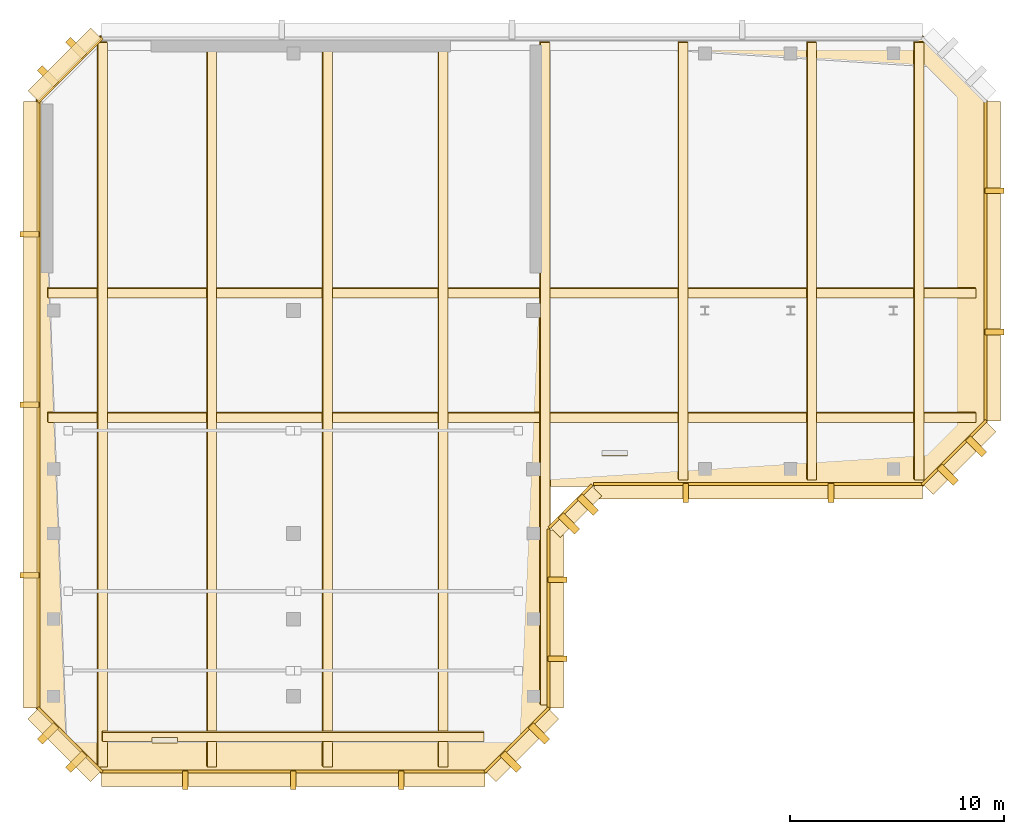
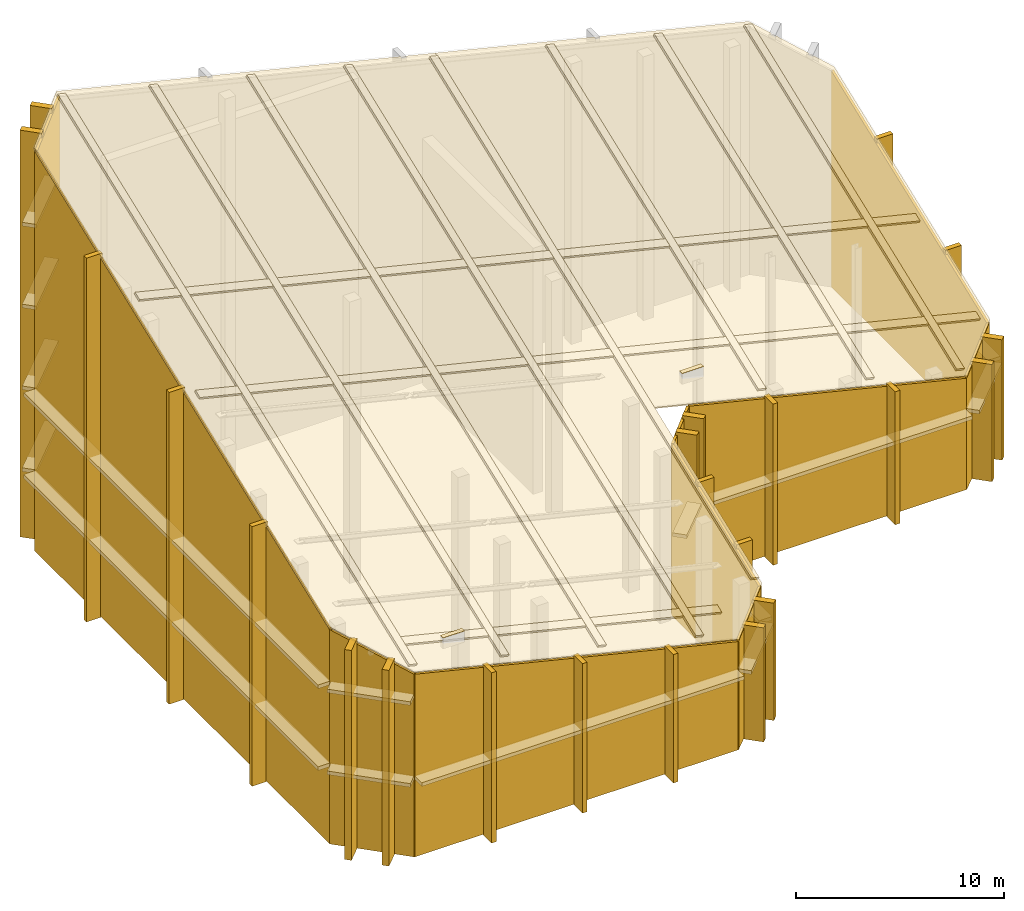
# One storey, part 2 of 3: 62 coverings.
"""IFC4 building model written with IfcOpenShell, lengths in metres."""

from ifc_helpers import new_model, si_unit, direction, frame, origin, origin_2d, place, context, subcontext, project, spatial, polyline, rectangle, outline, extrude, material, layer, layer_set, type_object, element, save


model = new_model("IFC4")

# Units and contexts
model_context = context("Model", 3, precision=1e-05, world=origin(), true_north=direction((0.0, 1.0)))
body_context = subcontext(model_context, "Body", "Model", "MODEL_VIEW")
ifc_project = project(units=[si_unit("LENGTHUNIT", "METRE"), si_unit("AREAUNIT", "SQUARE_METRE"), si_unit("VOLUMEUNIT", "CUBIC_METRE"), si_unit("PLANEANGLEUNIT", "RADIAN"), si_unit("MASSUNIT", "GRAM", prefix="KILO")], contexts=[model_context])

# Site, building, storey
site_placement = place(None, origin())
site = spatial("IfcSite", under=ifc_project, at=site_placement, CompositionType="ELEMENT")
building_placement = place(site_placement, origin())
building = spatial("IfcBuilding", under=site, at=building_placement, Name="Kefirva Bronze Tower", CompositionType="ELEMENT")
storey_placement = place(building_placement, frame((0.0, 0.0, 373.889892578125)))
storey = spatial("IfcBuildingStorey", under=building, at=storey_placement, Name="L91", CompositionType="ELEMENT", Elevation=373.889892578125)

# Coverings
ifc_material_1 = material(Name="Bronze anodised aluminium", Category="aluminium")
ifc_layer_1 = layer(ifc_material_1, 0.02001953125, Name="Bronze anodised aluminium")
ifc_layer_set_1 = layer_set([ifc_layer_1], Name="Bronze anodised aluminium")
covering_type_1 = type_object("IfcCoveringType", Name="Anodised Bronze Spandrel Cladding 20mm", PredefinedType="CLADDING", material=ifc_layer_set_1)
for number, where, z_axis, x_axis, name in (
    (1, (6.0, 13.14990234375, 11.05419921875), (0.0, 0.0, 1.0), (1.0, 0.0, 0.0), "L91 Bronze Coping Cladding 1"),
    (2, (27.0, 26.550048828125, 11.087890625), (0.0, 0.0, 1.0), (1.0, 0.0, 0.0), "L91 Bronze Coping Cladding 2"),
):
    element("IfcCovering", number, at=place(storey_placement, frame(where, z_axis=z_axis, x_axis=x_axis)), inside=storey, type_object=covering_type_1, Name=name, PredefinedType="CLADDING", context=body_context, shape_type="SweptSolid", body=[
        extrude(rectangle(XDim=1.199951171875, YDim=0.260009765625, at=origin_2d()), origin(), (0.0, 0.0, 1.0), 0.02001953125),
    ])
ifc_material_2 = material(Name="Insulated EPDM membrane")
ifc_layer_2 = layer(ifc_material_2, 0.090087890625, Name="Insulated EPDM membrane")
ifc_layer_set_2 = layer_set([ifc_layer_2], Name="Insulated EPDM membrane")
covering_type_2 = type_object("IfcCoveringType", Name="Insulated EPDM Crown Roofing 90mm", PredefinedType="ROOFING", material=ifc_layer_set_2)
covering_1_placement = place(storey_placement, frame((0.0, 14.60009765625, 12.656982421875), z_axis=(0.221548584642, -0.349493181319, 0.910368464335), x_axis=(-1.61925e-07, 0.933568243588, 0.358399685497)))
element("IfcCovering", 3, at=covering_1_placement, inside=storey, type_object=covering_type_2, Name="L91 West Crown Insulated Roofing", PredefinedType="ROOFING", context=body_context, shape_type="SweptSolid", body=[
    extrude(outline(polyline([(0.0, 0.0), (30.420818520146586, -4.440892098500626e-16), (33.37263513253039, -3.0764510833751935), (31.54099583939993, -24.61161502379219), (6.904316513889619, -24.61162439055186), (-2.0932645493248603, -24.611594290861635), (-5.045081161708667, -21.535143207486442), (-3.4751546246958256, -3.07646011328226), (0.0, 0.0)])), origin(), (0.0, 0.0, -1.0), 0.090087890625),
])
covering_2_placement = place(storey_placement, frame((41.39990234375, 46.0, 14.636474609375), z_axis=(0.221545393842, -0.349492877573, 0.910369357455), x_axis=(0.646378450417, -0.646379855225, -0.40544787778)))
element("IfcCovering", 4, at=covering_2_placement, inside=storey, type_object=covering_type_2, Name="L91 East Crown Insulated Roofing", PredefinedType="ROOFING", context=body_context, shape_type="SweptSolid", body=[
    extrude(outline(polyline([(0.0, 0.0), (4.641261304114398, -1.1102230246251565e-16), (16.67174895015604, -10.65026791285544), (16.842702501717955, -14.910379116190246), (5.368998823198398, -25.844597946030397), (3.878962229879761, -27.264648474450766), (-12.963740271838192, -12.35426935826052), (0.0, 0.0)])), origin(), (0.0, 0.0, -1.0), 0.090087890625),
])
ifc_material_3 = material(Name="Tempered laminated low-E glass", Category="glass")
ifc_layer_3 = layer(ifc_material_3, 0.139892578125, Name="Tempered laminated low-E glass")
ifc_layer_set_3 = layer_set([ifc_layer_3], Name="Tempered laminated low-E glass")
covering_type_3 = type_object("IfcCoveringType", Name="Slanted Crown Faceted Glazed Screen 140mm", PredefinedType="CLADDING", material=ifc_layer_set_3)
covering_3_placement = place(storey_placement, frame((3.0, 11.699951171875, -0.099853515625), z_axis=(0.0, 0.0, 1.0), x_axis=(1.0, 0.0, 0.0)))
element("IfcCovering", 5, at=covering_3_placement, inside=storey, type_object=covering_type_3, Name="L91 Slanted Crown Faceted Glazed Screen 1", PredefinedType="CLADDING", context=body_context, shape_type="SweptSolid", body=[
    extrude(outline(polyline([(0.0, 0.0), (18.0, 0.0), (18.0, 6.343017578125), (0.0, 10.723388671875), (0.0, 0.0)])), frame((0.0, 0.06982421875, 0.0), z_axis=(0.0, -1.0, 0.0), x_axis=(1.0, 0.0, 0.0)), (0.0, 0.0, 1.0), 0.139892578125),
])
covering_4_placement = place(storey_placement, frame((20.92919921875, 11.670654296875, -0.099853515625), z_axis=(0.0, 0.0, 1.0), x_axis=(0.707106781187, 0.707106781187, 0.0)))
element("IfcCovering", 6, at=covering_4_placement, inside=storey, type_object=covering_type_3, Name="L91 Slanted Crown Faceted Glazed Screen 2", PredefinedType="CLADDING", context=body_context, shape_type="SweptSolid", body=[
    extrude(outline(polyline([(0.0, 0.0), (4.24267578125, 0.0), (4.24267578125, 6.7705078125), (0.0, 6.348876953125), (0.0, 0.0)])), frame((0.0, 0.06982421875, 0.0), z_axis=(0.0, -1.0, 0.0), x_axis=(1.0, 0.0, 0.0)), (0.0, 0.0, 1.0), 0.139892578125),
])
covering_5_placement = place(storey_placement, frame((23.89990234375, 14.60009765625, -0.099853515625), z_axis=(0.0, 0.0, 1.0), x_axis=(0.0, 1.0, 0.0)))
element("IfcCovering", 7, at=covering_5_placement, inside=storey, type_object=covering_type_3, Name="L91 Slanted Crown Faceted Glazed Screen 3", PredefinedType="CLADDING", context=body_context, shape_type="SweptSolid", body=[
    extrude(outline(polyline([(0.0, 0.0), (8.39990234375, 0.0), (8.39990234375, 9.975341796875), (0.0, 6.75048828125), (0.0, 0.0)])), frame((0.0, 0.06982421875, 0.0), z_axis=(0.0, -1.0, 0.0), x_axis=(1.0, 0.0, 0.0)), (0.0, 0.0, 1.0), 0.139892578125),
])
covering_6_placement = place(storey_placement, frame((23.92919921875, 23.07080078125, -0.099853515625), z_axis=(0.0, 0.0, 1.0), x_axis=(0.707106781187, 0.707106781187, 0.0)))
element("IfcCovering", 8, at=covering_6_placement, inside=storey, type_object=covering_type_3, Name="L91 Slanted Crown Faceted Glazed Screen 4", PredefinedType="CLADDING", context=body_context, shape_type="SweptSolid", body=[
    extrude(outline(polyline([(0.0, 0.0), (2.828369140625, 0.0), (2.828369140625, 10.2763671875), (0.0, 9.995361328125), (0.0, 0.0)])), frame((0.0, 0.06982421875, 0.0), z_axis=(0.0, -1.0, 0.0), x_axis=(1.0, 0.0, 0.0)), (0.0, 0.0, 1.0), 0.139892578125),
])
covering_7_placement = place(storey_placement, frame((26.0, 25.10009765625, -0.099853515625), z_axis=(0.0, 0.0, 1.0), x_axis=(1.0, 0.0, 0.0)))
element("IfcCovering", 9, at=covering_7_placement, inside=storey, type_object=covering_type_3, Name="L91 Slanted Crown Faceted Glazed Screen 5", PredefinedType="CLADDING", context=body_context, shape_type="SweptSolid", body=[
    extrude(outline(polyline([(0.0, 0.0), (15.39990234375, 0.0), (15.39990234375, 6.522705078125), (0.0, 10.2705078125), (0.0, 0.0)])), frame((0.0, 0.06982421875, 0.0), z_axis=(0.0, -1.0, 0.0), x_axis=(1.0, 0.0, 0.0)), (0.0, 0.0, 1.0), 0.139892578125),
])
covering_8_placement = place(storey_placement, frame((41.329345703125, 25.07080078125, -0.099853515625), z_axis=(0.0, 0.0, 1.0), x_axis=(0.707106781187, 0.707106781187, 0.0)))
element("IfcCovering", 10, at=covering_8_placement, inside=storey, type_object=covering_type_3, Name="L91 Slanted Crown Faceted Glazed Screen 6", PredefinedType="CLADDING", context=body_context, shape_type="SweptSolid", body=[
    extrude(outline(polyline([(0.0, 0.0), (4.24267578125, 0.0), (4.24267578125, 6.950439453125), (0.0, 6.528564453125), (0.0, 0.0)])), frame((0.0, 0.06982421875, 0.0), z_axis=(0.0, -1.0, 0.0), x_axis=(1.0, 0.0, 0.0)), (0.0, 0.0, 1.0), 0.139892578125),
])
covering_9_placement = place(storey_placement, frame((44.300048828125, 28.0, -0.099853515625), z_axis=(0.0, 0.0, 1.0), x_axis=(0.0, 1.0, 0.0)))
element("IfcCovering", 11, at=covering_9_placement, inside=storey, type_object=covering_type_3, Name="L91 Slanted Crown Faceted Glazed Screen 7", PredefinedType="CLADDING", context=body_context, shape_type="SweptSolid", body=[
    extrude(outline(polyline([(0.0, 0.0), (15.0, 0.0), (15.0, 12.68896484375), (0.0, 6.93017578125), (0.0, 0.0)])), frame((0.0, 0.06982421875, 0.0), z_axis=(0.0, -1.0, 0.0), x_axis=(1.0, 0.0, 0.0)), (0.0, 0.0, 1.0), 0.139892578125),
])
covering_10_placement = place(storey_placement, frame((3.07080078125, 45.92919921875, -0.099853515625), z_axis=(0.0, 0.0, 1.0), x_axis=(-0.707106781187, -0.707106781187, 0.0)))
element("IfcCovering", 12, at=covering_10_placement, inside=storey, type_object=covering_type_3, Name="L91 Slanted Crown Faceted Glazed Screen 10", PredefinedType="CLADDING", context=body_context, shape_type="SweptSolid", body=[
    extrude(outline(polyline([(0.0, 0.0), (4.24267578125, 0.0), (4.24267578125, 23.42529296875), (0.0, 23.846923828125), (0.0, 0.0)])), frame((0.0, 0.06982421875, 0.0), z_axis=(0.0, -1.0, 0.0), x_axis=(1.0, 0.0, 0.0)), (0.0, 0.0, 1.0), 0.139892578125),
])
covering_11_placement = place(storey_placement, frame((0.10009765625, 43.0, -0.099853515625), z_axis=(0.0, 0.0, 1.0), x_axis=(0.0, -1.0, 0.0)))
element("IfcCovering", 13, at=covering_11_placement, inside=storey, type_object=covering_type_3, Name="L91 Slanted Crown Faceted Glazed Screen 11", PredefinedType="CLADDING", context=body_context, shape_type="SweptSolid", body=[
    extrude(outline(polyline([(0.0, 0.0), (28.39990234375, 0.0), (28.39990234375, 12.54248046875), (0.0, 23.4453125), (0.0, 0.0)])), frame((0.0, 0.06982421875, 0.0), z_axis=(0.0, -1.0, 0.0), x_axis=(1.0, 0.0, 0.0)), (0.0, 0.0, 1.0), 0.139892578125),
])
covering_12_placement = place(storey_placement, frame((0.07080078125, 14.670654296875, -0.099853515625), z_axis=(0.0, 0.0, 1.0), x_axis=(0.707106781187, -0.707106781187, 0.0)))
element("IfcCovering", 14, at=covering_12_placement, inside=storey, type_object=covering_type_3, Name="L91 Slanted Crown Faceted Glazed Screen 12", PredefinedType="CLADDING", context=body_context, shape_type="SweptSolid", body=[
    extrude(outline(polyline([(0.0, 0.0), (4.24267578125, 0.0), (4.24267578125, 10.695068359375), (0.0, 12.57666015625), (0.0, 0.0)])), frame((0.0, 0.06982421875, 0.0), z_axis=(0.0, -1.0, 0.0), x_axis=(1.0, 0.0, 0.0)), (0.0, 0.0, 1.0), 0.139892578125),
])
ifc_layer_4 = layer(ifc_material_1, 0.179931640625, Name="Bronze anodised aluminium")
ifc_layer_set_4 = layer_set([ifc_layer_4], Name="Bronze anodised aluminium")
covering_type_4 = type_object("IfcCoveringType", Name="Streamline Bronze Sunshade Eyebrow Cladding 180mm", PredefinedType="CLADDING", material=ifc_layer_set_4)
covering_13_placement = place(storey_placement, frame((12.0, 11.360107421875, 4.39990234375), z_axis=(0.0, 0.0, 1.0), x_axis=(1.0, 0.0, 0.0)))
element("IfcCovering", 15, at=covering_13_placement, inside=storey, type_object=covering_type_4, Name="L91 Slanted Crown Horizontal Bronze Band 1-1", PredefinedType="CLADDING", context=body_context, shape_type="SweptSolid", body=[
    extrude(rectangle(XDim=17.89990234375, YDim=0.719970703125, at=origin_2d()), origin(), (0.0, 0.0, 1.0), 0.219970703125),
])
covering_14_placement = place(storey_placement, frame((22.669677734375, 12.930419921875, 4.39990234375), z_axis=(0.0, 0.0, 1.0), x_axis=(0.707106781187, 0.707106781187, 0.0)))
element("IfcCovering", 16, at=covering_14_placement, inside=storey, type_object=covering_type_4, Name="L91 Slanted Crown Horizontal Bronze Band 2-1", PredefinedType="CLADDING", context=body_context, shape_type="SweptSolid", body=[
    extrude(rectangle(XDim=4.142578125, YDim=0.719970703125, at=origin_2d()), origin(), (0.0, 0.0, 1.0), 0.219970703125),
])
covering_15_placement = place(storey_placement, frame((24.239990234375, 18.800048828125, 4.39990234375), z_axis=(0.0, 0.0, 1.0), x_axis=(0.0, 1.0, 0.0)))
element("IfcCovering", 17, at=covering_15_placement, inside=storey, type_object=covering_type_4, Name="L91 Slanted Crown Horizontal Bronze Band 3-1", PredefinedType="CLADDING", context=body_context, shape_type="SweptSolid", body=[
    extrude(rectangle(XDim=8.300048828125, YDim=0.719970703125, at=origin_2d()), origin(), (0.0, 0.0, 1.0), 0.219970703125),
])
covering_16_placement = place(storey_placement, frame((25.169677734375, 23.830322265625, 4.39990234375), z_axis=(0.0, 0.0, 1.0), x_axis=(0.707106781187, 0.707106781187, 0.0)))
element("IfcCovering", 18, at=covering_16_placement, inside=storey, type_object=covering_type_4, Name="L91 Slanted Crown Horizontal Bronze Band 4-1", PredefinedType="CLADDING", context=body_context, shape_type="SweptSolid", body=[
    extrude(rectangle(XDim=2.728515625, YDim=0.719970703125, at=origin_2d()), origin(), (0.0, 0.0, 1.0), 0.219970703125),
])
covering_17_placement = place(storey_placement, frame((33.699951171875, 24.760009765625, 4.39990234375), z_axis=(0.0, 0.0, 1.0), x_axis=(1.0, 0.0, 0.0)))
element("IfcCovering", 19, at=covering_17_placement, inside=storey, type_object=covering_type_4, Name="L91 Slanted Crown Horizontal Bronze Band 5-1", PredefinedType="CLADDING", context=body_context, shape_type="SweptSolid", body=[
    extrude(rectangle(XDim=15.300048828125, YDim=0.719970703125, at=origin_2d()), origin(), (0.0, 0.0, 1.0), 0.219970703125),
])
covering_18_placement = place(storey_placement, frame((43.069580078125, 26.330322265625, 4.39990234375), z_axis=(0.0, 0.0, 1.0), x_axis=(0.707106781187, 0.707106781187, 0.0)))
element("IfcCovering", 20, at=covering_18_placement, inside=storey, type_object=covering_type_4, Name="L91 Slanted Crown Horizontal Bronze Band 6-1", PredefinedType="CLADDING", context=body_context, shape_type="SweptSolid", body=[
    extrude(rectangle(XDim=4.142578125, YDim=0.719970703125, at=origin_2d()), origin(), (0.0, 0.0, 1.0), 0.219970703125),
])
covering_19_placement = place(storey_placement, frame((44.639892578125, 35.5, 4.39990234375), z_axis=(0.0, 0.0, 1.0), x_axis=(0.0, 1.0, 0.0)))
element("IfcCovering", 21, at=covering_19_placement, inside=storey, type_object=covering_type_4, Name="L91 Slanted Crown Horizontal Bronze Band 7-1", PredefinedType="CLADDING", context=body_context, shape_type="SweptSolid", body=[
    extrude(rectangle(XDim=14.89990234375, YDim=0.719970703125, at=origin_2d()), origin(), (0.0, 0.0, 1.0), 0.219970703125),
])
for number, where, z_axis, x_axis, name in (
    (22, (1.330322265625, 44.669677734375, 4.39990234375), (0.0, 0.0, 1.0), (-0.707106781187, -0.707106781187, 0.0), "L91 Slanted Crown Horizontal Bronze Band 10-1"),
    (23, (1.330322265625, 44.669677734375, 9.2001953125), (0.0, 0.0, 1.0), (-0.707106781187, -0.707106781187, 0.0), "L91 Slanted Crown Horizontal Bronze Band 10-2"),
    (24, (1.330322265625, 44.669677734375, 14.0), (0.0, 0.0, 1.0), (-0.707106781187, -0.707106781187, 0.0), "L91 Slanted Crown Horizontal Bronze Band 10-3"),
    (25, (1.330322265625, 44.669677734375, 18.80029296875), (0.0, 0.0, 1.0), (-0.707106781187, -0.707106781187, 0.0), "L91 Slanted Crown Horizontal Bronze Band 10-4"),
):
    element("IfcCovering", number, at=place(storey_placement, frame(where, z_axis=z_axis, x_axis=x_axis)), inside=storey, type_object=covering_type_4, Name=name, PredefinedType="CLADDING", context=body_context, shape_type="SweptSolid", body=[
        extrude(rectangle(XDim=4.142578125, YDim=0.719970703125, at=origin_2d()), origin(), (0.0, 0.0, 1.0), 0.219970703125),
    ])
for number, where, z_axis, x_axis, name in (
    (26, (-0.239990234375, 28.800048828125, 4.39990234375), (0.0, 0.0, 1.0), (0.0, -1.0, 0.0), "L91 Slanted Crown Horizontal Bronze Band 11-1"),
    (27, (-0.239990234375, 28.800048828125, 9.2001953125), (0.0, 0.0, 1.0), (0.0, -1.0, 0.0), "L91 Slanted Crown Horizontal Bronze Band 11-2"),
):
    element("IfcCovering", number, at=place(storey_placement, frame(where, z_axis=z_axis, x_axis=x_axis)), inside=storey, type_object=covering_type_4, Name=name, PredefinedType="CLADDING", context=body_context, shape_type="SweptSolid", body=[
        extrude(rectangle(XDim=28.300048828125, YDim=0.719970703125, at=origin_2d()), origin(), (0.0, 0.0, 1.0), 0.219970703125),
    ])
for number, where, z_axis, x_axis, name in (
    (28, (1.330322265625, 12.930419921875, 4.39990234375), (0.0, 0.0, 1.0), (0.707106781187, -0.707106781187, 0.0), "L91 Slanted Crown Horizontal Bronze Band 12-1"),
    (29, (1.330322265625, 12.930419921875, 9.2001953125), (0.0, 0.0, 1.0), (0.707106781187, -0.707106781187, 0.0), "L91 Slanted Crown Horizontal Bronze Band 12-2"),
):
    element("IfcCovering", number, at=place(storey_placement, frame(where, z_axis=z_axis, x_axis=x_axis)), inside=storey, type_object=covering_type_4, Name=name, PredefinedType="CLADDING", context=body_context, shape_type="SweptSolid", body=[
        extrude(rectangle(XDim=4.142578125, YDim=0.719970703125, at=origin_2d()), origin(), (0.0, 0.0, 1.0), 0.219970703125),
    ])
ifc_layer_5 = layer(ifc_material_1, 0.260009765625, Name="Bronze anodised aluminium")
ifc_layer_set_5 = layer_set([ifc_layer_5], Name="Bronze anodised aluminium")
covering_type_5 = type_object("IfcCoveringType", Name="Unbroken Bronze Buttress Fin Cladding 260mm", PredefinedType="CLADDING", material=ifc_layer_set_5)
covering_20_placement = place(storey_placement, frame((6.9599609375, 11.280029296875, -0.14990234375), z_axis=(0.0, 0.0, 1.0), x_axis=(1.0, 0.0, 0.0)))
element("IfcCovering", 30, at=covering_20_placement, inside=storey, type_object=covering_type_5, Name="L91 Unbroken Crown Buttress Fin Rib 1-1", PredefinedType="CLADDING", context=body_context, shape_type="SweptSolid", body=[
    extrude(rectangle(XDim=0.260009765625, YDim=0.8798828125, at=origin_2d()), origin(), (0.0, 0.0, 1.0), 9.991455078125),
])
covering_21_placement = place(storey_placement, frame((12.0, 11.280029296875, -0.14990234375), z_axis=(0.0, 0.0, 1.0), x_axis=(1.0, 0.0, 0.0)))
element("IfcCovering", 31, at=covering_21_placement, inside=storey, type_object=covering_type_5, Name="L91 Unbroken Crown Buttress Fin Rib 1-2", PredefinedType="CLADDING", context=body_context, shape_type="SweptSolid", body=[
    extrude(rectangle(XDim=0.260009765625, YDim=0.8798828125, at=origin_2d()), origin(), (0.0, 0.0, 1.0), 8.764892578125),
])
covering_22_placement = place(storey_placement, frame((17.0400390625, 11.280029296875, -0.14990234375), z_axis=(0.0, 0.0, 1.0), x_axis=(1.0, 0.0, 0.0)))
element("IfcCovering", 32, at=covering_22_placement, inside=storey, type_object=covering_type_5, Name="L91 Unbroken Crown Buttress Fin Rib 1-3", PredefinedType="CLADDING", context=body_context, shape_type="SweptSolid", body=[
    extrude(rectangle(XDim=0.260009765625, YDim=0.8798828125, at=origin_2d()), origin(), (0.0, 0.0, 1.0), 7.538330078125),
])
covering_23_placement = place(storey_placement, frame((22.136962890625, 12.14306640625, -0.14990234375), z_axis=(0.0, 0.0, 1.0), x_axis=(0.707106781187, 0.707106781187, 0.0)))
element("IfcCovering", 33, at=covering_23_placement, inside=storey, type_object=covering_type_5, Name="L91 Unbroken Crown Buttress Fin Rib 2-1", PredefinedType="CLADDING", context=body_context, shape_type="SweptSolid", body=[
    extrude(rectangle(XDim=0.340087890625, YDim=1.080078125, at=origin_2d()), origin(), (0.0, 0.0, 1.0), 6.692626953125),
])
covering_24_placement = place(storey_placement, frame((23.45703125, 13.462890625, -0.14990234375), z_axis=(0.0, 0.0, 1.0), x_axis=(0.707106781187, 0.707106781187, 0.0)))
element("IfcCovering", 34, at=covering_24_placement, inside=storey, type_object=covering_type_5, Name="L91 Unbroken Crown Buttress Fin Rib 2-2", PredefinedType="CLADDING", context=body_context, shape_type="SweptSolid", body=[
    extrude(rectangle(XDim=0.340087890625, YDim=1.080078125, at=origin_2d()), origin(), (0.0, 0.0, 1.0), 6.878173828125),
])
covering_25_placement = place(storey_placement, frame((24.320068359375, 16.951904296875, -0.14990234375), z_axis=(0.0, 0.0, 1.0), x_axis=(0.0, 1.0, 0.0)))
element("IfcCovering", 35, at=covering_25_placement, inside=storey, type_object=covering_type_5, Name="L91 Unbroken Crown Buttress Fin Rib 3-1", PredefinedType="CLADDING", context=body_context, shape_type="SweptSolid", body=[
    extrude(rectangle(XDim=0.260009765625, YDim=0.8798828125, at=origin_2d()), origin(), (0.0, 0.0, 1.0), 7.899169921875),
])
covering_26_placement = place(storey_placement, frame((24.320068359375, 20.64794921875, -0.14990234375), z_axis=(0.0, 0.0, 1.0), x_axis=(0.0, 1.0, 0.0)))
element("IfcCovering", 36, at=covering_26_placement, inside=storey, type_object=covering_type_5, Name="L91 Unbroken Crown Buttress Fin Rib 3-2", PredefinedType="CLADDING", context=body_context, shape_type="SweptSolid", body=[
    extrude(rectangle(XDim=0.260009765625, YDim=0.8798828125, at=origin_2d()), origin(), (0.0, 0.0, 1.0), 9.318115234375),
])
covering_27_placement = place(storey_placement, frame((24.85693359375, 23.262939453125, -0.14990234375), z_axis=(0.0, 0.0, 1.0), x_axis=(0.707106781187, 0.707106781187, 0.0)))
element("IfcCovering", 37, at=covering_27_placement, inside=storey, type_object=covering_type_5, Name="L91 Unbroken Crown Buttress Fin Rib 4-1", PredefinedType="CLADDING", context=body_context, shape_type="SweptSolid", body=[
    extrude(rectangle(XDim=0.340087890625, YDim=1.080078125, at=origin_2d()), origin(), (0.0, 0.0, 1.0), 10.2998046875),
])
covering_28_placement = place(storey_placement, frame((25.737060546875, 24.14306640625, -0.14990234375), z_axis=(0.0, 0.0, 1.0), x_axis=(0.707106781187, 0.707106781187, 0.0)))
element("IfcCovering", 38, at=covering_28_placement, inside=storey, type_object=covering_type_5, Name="L91 Unbroken Crown Buttress Fin Rib 4-2", PredefinedType="CLADDING", context=body_context, shape_type="SweptSolid", body=[
    extrude(rectangle(XDim=0.340087890625, YDim=1.080078125, at=origin_2d()), origin(), (0.0, 0.0, 1.0), 10.42333984375),
])
covering_29_placement = place(storey_placement, frame((30.31201171875, 24.679931640625, -0.14990234375), z_axis=(0.0, 0.0, 1.0), x_axis=(1.0, 0.0, 0.0)))
element("IfcCovering", 39, at=covering_29_placement, inside=storey, type_object=covering_type_5, Name="L91 Unbroken Crown Buttress Fin Rib 5-1", PredefinedType="CLADDING", context=body_context, shape_type="SweptSolid", body=[
    extrude(rectangle(XDim=0.260009765625, YDim=0.8798828125, at=origin_2d()), origin(), (0.0, 0.0, 1.0), 9.45263671875),
])
covering_30_placement = place(storey_placement, frame((37.087890625, 24.679931640625, -0.14990234375), z_axis=(0.0, 0.0, 1.0), x_axis=(1.0, 0.0, 0.0)))
element("IfcCovering", 40, at=covering_30_placement, inside=storey, type_object=covering_type_5, Name="L91 Unbroken Crown Buttress Fin Rib 5-2", PredefinedType="CLADDING", context=body_context, shape_type="SweptSolid", body=[
    extrude(rectangle(XDim=0.260009765625, YDim=0.8798828125, at=origin_2d()), origin(), (0.0, 0.0, 1.0), 7.8037109375),
])
covering_31_placement = place(storey_placement, frame((42.537109375, 25.54296875, -0.14990234375), z_axis=(0.0, 0.0, 1.0), x_axis=(0.707106781187, 0.707106781187, 0.0)))
element("IfcCovering", 41, at=covering_31_placement, inside=storey, type_object=covering_type_5, Name="L91 Unbroken Crown Buttress Fin Rib 6-1", PredefinedType="CLADDING", context=body_context, shape_type="SweptSolid", body=[
    extrude(rectangle(XDim=0.340087890625, YDim=1.080078125, at=origin_2d()), origin(), (0.0, 0.0, 1.0), 6.872314453125),
])
covering_32_placement = place(storey_placement, frame((43.85693359375, 26.863037109375, -0.14990234375), z_axis=(0.0, 0.0, 1.0), x_axis=(0.707106781187, 0.707106781187, 0.0)))
element("IfcCovering", 42, at=covering_32_placement, inside=storey, type_object=covering_type_5, Name="L91 Unbroken Crown Buttress Fin Rib 6-2", PredefinedType="CLADDING", context=body_context, shape_type="SweptSolid", body=[
    extrude(rectangle(XDim=0.340087890625, YDim=1.080078125, at=origin_2d()), origin(), (0.0, 0.0, 1.0), 7.05810546875),
])
covering_33_placement = place(storey_placement, frame((44.719970703125, 32.199951171875, -0.14990234375), z_axis=(0.0, 0.0, 1.0), x_axis=(0.0, 1.0, 0.0)))
element("IfcCovering", 43, at=covering_33_placement, inside=storey, type_object=covering_type_5, Name="L91 Unbroken Crown Buttress Fin Rib 7-1", PredefinedType="CLADDING", context=body_context, shape_type="SweptSolid", body=[
    extrude(rectangle(XDim=0.260009765625, YDim=0.8798828125, at=origin_2d()), origin(), (0.0, 0.0, 1.0), 8.788330078125),
])
covering_34_placement = place(storey_placement, frame((44.719970703125, 38.800048828125, -0.14990234375), z_axis=(0.0, 0.0, 1.0), x_axis=(0.0, 1.0, 0.0)))
element("IfcCovering", 44, at=covering_34_placement, inside=storey, type_object=covering_type_5, Name="L91 Unbroken Crown Buttress Fin Rib 7-2", PredefinedType="CLADDING", context=body_context, shape_type="SweptSolid", body=[
    extrude(rectangle(XDim=0.260009765625, YDim=0.8798828125, at=origin_2d()), origin(), (0.0, 0.0, 1.0), 11.322265625),
])
covering_35_placement = place(storey_placement, frame((1.863037109375, 45.45703125, -0.14990234375), z_axis=(0.0, 0.0, 1.0), x_axis=(-0.707106781187, -0.707106781187, 0.0)))
element("IfcCovering", 45, at=covering_35_placement, inside=storey, type_object=covering_type_5, Name="L91 Unbroken Crown Buttress Fin Rib 10-1", PredefinedType="CLADDING", context=body_context, shape_type="SweptSolid", body=[
    extrude(rectangle(XDim=0.340087890625, YDim=1.080078125, at=origin_2d()), origin(), (0.0, 0.0, 1.0), 24.043212890625),
])
covering_36_placement = place(storey_placement, frame((0.54296875, 44.136962890625, -0.14990234375), z_axis=(0.0, 0.0, 1.0), x_axis=(-0.707106781187, -0.707106781187, 0.0)))
element("IfcCovering", 46, at=covering_36_placement, inside=storey, type_object=covering_type_5, Name="L91 Unbroken Crown Buttress Fin Rib 10-2", PredefinedType="CLADDING", context=body_context, shape_type="SweptSolid", body=[
    extrude(rectangle(XDim=0.340087890625, YDim=1.080078125, at=origin_2d()), origin(), (0.0, 0.0, 1.0), 23.857666015625),
])
covering_37_placement = place(storey_placement, frame((-0.320068359375, 36.751953125, -0.14990234375), z_axis=(0.0, 0.0, 1.0), x_axis=(0.0, -1.0, 0.0)))
element("IfcCovering", 47, at=covering_37_placement, inside=storey, type_object=covering_type_5, Name="L91 Unbroken Crown Buttress Fin Rib 11-1", PredefinedType="CLADDING", context=body_context, shape_type="SweptSolid", body=[
    extrude(rectangle(XDim=0.260009765625, YDim=0.8798828125, at=origin_2d()), origin(), (0.0, 0.0, 1.0), 21.341064453125),
])
covering_38_placement = place(storey_placement, frame((-0.320068359375, 28.800048828125, -0.14990234375), z_axis=(0.0, 0.0, 1.0), x_axis=(0.0, -1.0, 0.0)))
element("IfcCovering", 48, at=covering_38_placement, inside=storey, type_object=covering_type_5, Name="L91 Unbroken Crown Buttress Fin Rib 11-2", PredefinedType="CLADDING", context=body_context, shape_type="SweptSolid", body=[
    extrude(rectangle(XDim=0.260009765625, YDim=0.8798828125, at=origin_2d()), origin(), (0.0, 0.0, 1.0), 18.288330078125),
])
covering_39_placement = place(storey_placement, frame((-0.320068359375, 20.847900390625, -0.14990234375), z_axis=(0.0, 0.0, 1.0), x_axis=(0.0, -1.0, 0.0)))
element("IfcCovering", 49, at=covering_39_placement, inside=storey, type_object=covering_type_5, Name="L91 Unbroken Crown Buttress Fin Rib 11-3", PredefinedType="CLADDING", context=body_context, shape_type="SweptSolid", body=[
    extrude(rectangle(XDim=0.260009765625, YDim=0.8798828125, at=origin_2d()), origin(), (0.0, 0.0, 1.0), 15.235595703125),
])
covering_40_placement = place(storey_placement, frame((0.54296875, 13.462890625, -0.14990234375), z_axis=(0.0, 0.0, 1.0), x_axis=(0.707106781187, -0.707106781187, 0.0)))
element("IfcCovering", 50, at=covering_40_placement, inside=storey, type_object=covering_type_5, Name="L91 Unbroken Crown Buttress Fin Rib 12-1", PredefinedType="CLADDING", context=body_context, shape_type="SweptSolid", body=[
    extrude(rectangle(XDim=0.340087890625, YDim=1.080078125, at=origin_2d()), origin(), (0.0, 0.0, 1.0), 12.309814453125),
])
covering_41_placement = place(storey_placement, frame((1.863037109375, 12.14306640625, -0.14990234375), z_axis=(0.0, 0.0, 1.0), x_axis=(0.707106781187, -0.707106781187, 0.0)))
element("IfcCovering", 51, at=covering_41_placement, inside=storey, type_object=covering_type_5, Name="L91 Unbroken Crown Buttress Fin Rib 12-2", PredefinedType="CLADDING", context=body_context, shape_type="SweptSolid", body=[
    extrude(rectangle(XDim=0.340087890625, YDim=1.080078125, at=origin_2d()), origin(), (0.0, 0.0, 1.0), 11.48193359375),
])
covering_42_placement = place(storey_placement, frame((2.8798828125, 11.89990234375, 11.069580078125), z_axis=(0.221413786363, -0.349504438553, 0.910396936858), x_axis=(0.971668403354, -8.57337e-05, -0.236348273894)))
element("IfcCovering", 52, at=covering_42_placement, inside=storey, type_object=covering_type_5, Name="L91 Climbing Slanted-Crown Bronze Rib W-EDGE", PredefinedType="CLADDING", context=body_context, shape_type="SweptSolid", body=[
    extrude(outline(polyline([(0.0, 0.0), (0.4530456600310635, 6.938893903907228e-18), (-2.6167248867206627, 36.07489863730857), (-3.0697128445364203, 36.07481573119599), (0.0, 0.0)])), origin(), (0.0, 0.0, -1.0), 0.159912109375),
])
covering_43_placement = place(storey_placement, frame((7.97998046875, 11.89990234375, 9.828369140625), z_axis=(0.221530629087, -0.349494927908, 0.910372163317), x_axis=(0.971638275891, -8.5773944e-05, -0.236472098704)))
element("IfcCovering", 53, at=covering_43_placement, inside=storey, type_object=covering_type_5, Name="L91 Climbing Slanted-Crown Bronze Rib W-MID1", PredefinedType="CLADDING", context=body_context, shape_type="SweptSolid", body=[
    extrude(outline(polyline([(0.0, 0.0), (0.4528084532440167, 0.0), (-2.6185702136826343, 36.074761759243), (-3.0713209344806778, 36.07467885796184), (0.0, 0.0)])), origin(), (0.0, 0.0, -1.0), 0.159912109375),
])
covering_44_placement = place(storey_placement, frame((13.3798828125, 11.89990234375, 8.514404296875), z_axis=(0.221654111198, -0.349482005657, 0.910347067173), x_axis=(0.971614061155, 0.0, -0.236571587824)))
element("IfcCovering", 54, at=covering_44_placement, inside=storey, type_object=covering_type_5, Name="L91 Climbing Slanted-Crown Bronze Rib W-MID2", PredefinedType="CLADDING", context=body_context, shape_type="SweptSolid", body=[
    extrude(outline(polyline([(0.0, 0.0), (0.4530456736614984, 0.0), (-2.6166670512579753, 36.07481574154572), (-3.069712724919474, 36.07481574154572), (0.0, 0.0)])), origin(), (0.0, 0.0, -1.0), 0.159912109375),
])
covering_45_placement = place(storey_placement, frame((18.780029296875, 11.89990234375, 7.2001953125), z_axis=(0.221530629087, -0.349494927908, 0.910372163317), x_axis=(0.971638275891, -8.5773944e-05, -0.236472098704)))
element("IfcCovering", 55, at=covering_45_placement, inside=storey, type_object=covering_type_5, Name="L91 Climbing Slanted-Crown Bronze Rib W-MID3", PredefinedType="CLADDING", context=body_context, shape_type="SweptSolid", body=[
    extrude(outline(polyline([(0.0, 0.0), (0.4528084532440167, 0.0), (-2.6185702136826343, 36.074761759243), (-3.0713209344806778, 36.07467885796184), (0.0, 0.0)])), origin(), (0.0, 0.0, -1.0), 0.159912109375),
])
covering_46_placement = place(storey_placement, frame((23.530029296875, 14.800048828125, 7.157470703125), z_axis=(0.221530413034, -0.349497377564, 0.910371275457), x_axis=(0.971638275785, -8.5774461e-05, -0.23647209914)))
element("IfcCovering", 56, at=covering_46_placement, inside=storey, type_object=covering_type_5, Name="L91 Climbing Slanted-Crown Bronze Rib VALLEY", PredefinedType="CLADDING", context=body_context, shape_type="SweptSolid", body=[
    extrude(outline(polyline([(0.0, 0.0), (0.4528084532440433, 6.938893903907228e-18), (-2.355061524208301, 32.97947373822213), (-2.8078122450062653, 32.979390836359904), (0.0, 0.0)])), origin(), (0.0, 0.0, -1.0), 0.159912109375),
])
for number, where, z_axis, x_axis, name in (
    (57, (29.97998046875, 25.300048828125, 9.618896484375), (0.221530373112, -0.349497830213, 0.910371111397), (0.971638275766, -8.5774557e-05, -0.23647209922), "L91 Climbing Slanted-Crown Bronze Rib E-MID1"),
    (58, (35.97998046875, 25.300048828125, 8.15869140625), (0.221530373112, -0.349497830213, 0.910371111397), (0.971638275766, -8.5774557e-05, -0.23647209922), "L91 Climbing Slanted-Crown Bronze Rib E-MID2"),
    (59, (40.97998046875, 25.300048828125, 6.94189453125), (0.221530373112, -0.349497830213, 0.910371111397), (0.971638275766, -8.5774557e-05, -0.23647209922), "L91 Climbing Slanted-Crown Bronze Rib E-EDGE"),
):
    element("IfcCovering", number, at=place(storey_placement, frame(where, z_axis=z_axis, x_axis=x_axis)), inside=storey, type_object=covering_type_5, Name=name, PredefinedType="CLADDING", context=body_context, shape_type="SweptSolid", body=[
        extrude(outline(polyline([(0.0, 0.0), (0.45280845324404817, 6.938893903907228e-18), (-1.400940477737195, 21.772839039722065), (-1.8536911985351445, 21.77275613775247), (0.0, 0.0)])), origin(), (0.0, 0.0, -1.0), 0.159912109375),
    ])
covering_47_placement = place(storey_placement, frame((0.550048828125, 33.780029296875, 20.0263671875), z_axis=(0.22155831586, -0.34936328115, 0.910415954637), x_axis=(0.971641745942, 8.71255e-07, -0.236457855741)))
element("IfcCovering", 60, at=covering_47_placement, inside=storey, type_object=covering_type_5, Name="L91 Slanted-Crown Cross Bronze Rib X-UPPER", PredefinedType="CLADDING", context=body_context, shape_type="SweptSolid", body=[
    extrude(outline(polyline([(0.0, 0.0), (44.56377506023152, -4.440892098500626e-16), (44.52388472616998, 0.46948618214250937), (-0.039948063030231205, 0.4695690571770547), (0.0, 0.0)])), origin(), (0.0, 0.0, -1.0), 0.14990234375),
])
covering_48_placement = place(storey_placement, frame((0.550048828125, 27.97998046875, 17.7998046875), z_axis=(0.22155831586, -0.34936328115, 0.910415954637), x_axis=(0.971641592313, -8.71254e-07, -0.236458487025)))
element("IfcCovering", 61, at=covering_48_placement, inside=storey, type_object=covering_type_5, Name="L91 Slanted-Crown Cross Bronze Rib X-ELBOW", PredefinedType="CLADDING", context=body_context, shape_type="SweptSolid", body=[
    extrude(outline(polyline([(0.0, 0.0), (44.56383278927728, 4.440892098500626e-16), (44.52388385299297, 0.4695689828851224), (-0.039891207161501296, 0.46948610795793444), (0.0, 0.0)])), origin(), (0.0, 0.0, -1.0), 0.14990234375),
])
covering_49_placement = place(storey_placement, frame((3.10009765625, 13.080078125, 11.458984375), z_axis=(0.221540539422, -0.349584886786, 0.910335210966), x_axis=(0.971641209747, 0.0, -0.236460059041)))
element("IfcCovering", 62, at=covering_49_placement, inside=storey, type_object=covering_type_5, Name="L91 Slanted-Crown Cross Bronze Rib S-EAVE", PredefinedType="CLADDING", context=body_context, shape_type="SweptSolid", body=[
    extrude(outline(polyline([(0.0, 0.0), (18.31931839545605, 0.0), (18.27936957688765, 0.4695690060512292), (-0.03994881856840026, 0.46956900605122914), (0.0, 0.0)])), origin(), (0.0, 0.0, -1.0), 0.14990234375),
])

save(model, "model.ifc")
